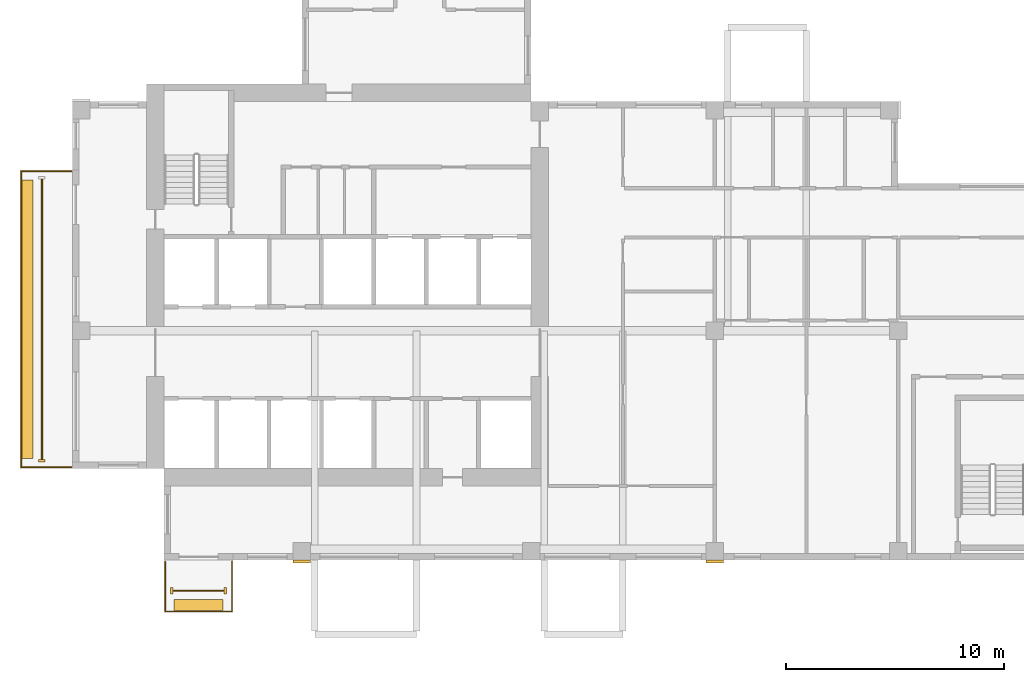
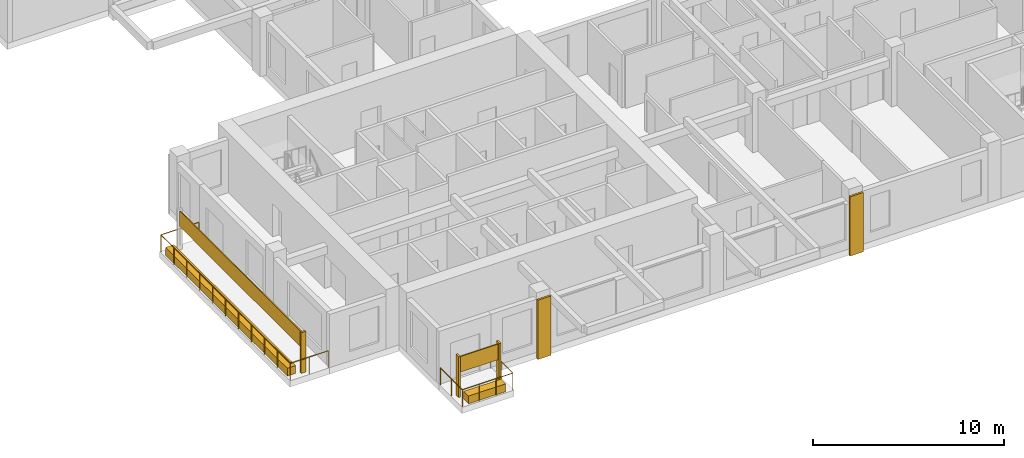
# One storey, part 9 of 12: 9 coverings, 2 railings.
"""IFC4 building model written with IfcOpenShell, lengths in metres."""

from ifc_helpers import new_model, si_unit, direction, frame, origin, origin_2d, place, context, subcontext, project, spatial, rectangle, circle, extrude, source, transform, mapped, material, type_object, element, save


model = new_model("IFC4")

# Units and contexts
model_context = context("Model", 3, precision=1e-05, world=origin(), true_north=direction((0.0, 1.0)))
body_context = subcontext(model_context, "Body", "Model", "MODEL_VIEW")
ifc_project = project(units=[si_unit("LENGTHUNIT", "METRE"), si_unit("AREAUNIT", "SQUARE_METRE"), si_unit("VOLUMEUNIT", "CUBIC_METRE"), si_unit("PLANEANGLEUNIT", "RADIAN"), si_unit("MASSUNIT", "GRAM", prefix="KILO")], contexts=[model_context])

# Site, building, storey
site_placement = place(None, origin())
site = spatial("IfcSite", under=ifc_project, at=site_placement, CompositionType="ELEMENT")
building_placement = place(site_placement, origin())
building = spatial("IfcBuilding", under=site, at=building_placement, Name="Aurelian Terraces", CompositionType="ELEMENT")
storey_placement = place(building_placement, frame((0.0, 0.0, 238.6)))
storey = spatial("IfcBuildingStorey", under=building, at=storey_placement, Name="L54", CompositionType="ELEMENT", Elevation=238.6)

# Coverings
ifc_material_1 = material(Name="Terracotta rainscreen cladding relief", Category="masonry")
covering_type_1 = type_object("IfcCoveringType", Name="FIN-TC", PredefinedType="CLADDING", material=ifc_material_1)
shared_shape_1 = source(origin(), body_context, "Body", "SweptSolid", [
    extrude(rectangle(XDim=0.3, YDim=0.12, at=origin_2d()), origin(), (0.0, 0.0, 1.0), 2.6),
])
covering_1_placement = place(storey_placement, frame((-1.4, 4.55, 0.0), z_axis=(0.0, 0.0, 1.0), x_axis=(1.0, 0.0, 0.0)))
element("IfcCovering", 1, at=covering_1_placement, inside=storey, type_object=covering_type_1, Name="FIN L54 L54-F22-38.2", PredefinedType="CLADDING", context=body_context, shape_type="MappedRepresentation", body=[
    mapped(shared_shape_1, transform((0.0, 0.0, 0.0), scale=1.0)),
])
shared_shape_2 = source(origin(), body_context, "Body", "SweptSolid", [
    extrude(rectangle(XDim=0.12, YDim=0.3, at=origin_2d()), origin(), (0.0, 0.0, 1.0), 2.6),
])
for number, where, z_axis, x_axis, name in (
    (2, (4.55, -1.4, 0.0), (0.0, 0.0, 1.0), (1.0, 0.0, 0.0), "FIN L54 L54-F01-01.1"),
    (3, (7.0, -1.4, 0.0), (0.0, 0.0, 1.0), (1.0, 0.0, 0.0), "FIN L54 L54-F01-01.2"),
):
    element("IfcCovering", number, at=place(storey_placement, frame(where, z_axis=z_axis, x_axis=x_axis)), inside=storey, type_object=covering_type_1, Name=name, PredefinedType="CLADDING", context=body_context, shape_type="MappedRepresentation", body=[
        mapped(shared_shape_2, transform((0.0, 0.0, 0.0), scale=1.0)),
    ])

# Railing
ifc_material_2 = material(Name="Anodised aluminium", Category="aluminium")
railing_type = type_object("IfcRailingType", Name="GUARD-1100", PredefinedType="GUARDRAIL", material=ifc_material_2)
shared_shape_3 = source(origin(), body_context, "Body", "SweptSolid", [
    extrude(circle(Radius=0.024, at=origin_2d()), frame((0.0, 0.0, 1.076), z_axis=(-1.0, 0.0, 0.0), x_axis=(0.0, -1.0, 0.0)), (0.0, 0.0, 1.0), 2.3),
    extrude(circle(Radius=0.024, at=origin_2d()), frame((-2.3, 0.0, 1.076), z_axis=(0.0, -1.0, 0.0), x_axis=(1.0, 0.0, 0.0)), (0.0, 0.0, 1.0), 13.55),
    extrude(circle(Radius=0.024, at=origin_2d()), frame((-2.3, -13.55, 1.076), z_axis=(1.0, 0.0, 0.0), x_axis=(0.0, 1.0, 0.0)), (0.0, 0.0, 1.0), 2.3),
    extrude(circle(Radius=0.021, at=origin_2d()), origin(), (0.0, 0.0, 1.0), 1.052),
    extrude(circle(Radius=0.021, at=origin_2d()), frame((-1.15, 0.0, 0.0)), (0.0, 0.0, 1.0), 1.052),
    extrude(circle(Radius=0.021, at=origin_2d()), frame((-2.3, 0.0, 0.0)), (0.0, 0.0, 1.0), 1.052),
    extrude(circle(Radius=0.021, at=origin_2d()), frame((-2.3, -1.355, 0.0)), (0.0, 0.0, 1.0), 1.052),
    extrude(circle(Radius=0.021, at=origin_2d()), frame((-2.3, -2.71, 0.0)), (0.0, 0.0, 1.0), 1.052),
    extrude(circle(Radius=0.021, at=origin_2d()), frame((-2.3, -4.065, 0.0)), (0.0, 0.0, 1.0), 1.052),
    extrude(circle(Radius=0.021, at=origin_2d()), frame((-2.3, -5.42, 0.0)), (0.0, 0.0, 1.0), 1.052),
    extrude(circle(Radius=0.021, at=origin_2d()), frame((-2.3, -6.775, 0.0)), (0.0, 0.0, 1.0), 1.052),
    extrude(circle(Radius=0.021, at=origin_2d()), frame((-2.3, -8.13, 0.0)), (0.0, 0.0, 1.0), 1.052),
    extrude(circle(Radius=0.021, at=origin_2d()), frame((-2.3, -9.485, 0.0)), (0.0, 0.0, 1.0), 1.052),
    extrude(circle(Radius=0.021, at=origin_2d()), frame((-2.3, -10.84, 0.0)), (0.0, 0.0, 1.0), 1.052),
    extrude(circle(Radius=0.021, at=origin_2d()), frame((-2.3, -12.195, 0.0)), (0.0, 0.0, 1.0), 1.052),
    extrude(circle(Radius=0.021, at=origin_2d()), frame((-2.3, -13.55, 0.0)), (0.0, 0.0, 1.0), 1.052),
    extrude(circle(Radius=0.021, at=origin_2d()), frame((-1.15, -13.55, 0.0)), (0.0, 0.0, 1.0), 1.052),
    extrude(circle(Radius=0.021, at=origin_2d()), frame((0.0, -13.55, 0.0)), (0.0, 0.0, 1.0), 1.052),
])
railing_1_placement = place(storey_placement, frame((-0.05, 17.8, 0.0)))
element("IfcRailing", 4, at=railing_1_placement, inside=storey, type_object=railing_type, Name="Balcony guard L54 F22.38", PredefinedType="GUARDRAIL", context=body_context, shape_type="MappedRepresentation", body=[
    mapped(shared_shape_3, transform((0.0, 0.0, 0.0), scale=1.0)),
])

# Coverings
ifc_material_3 = material(Name="Terracotta planter with planting soil", Category="masonry")
covering_type_2 = type_object("IfcCoveringType", Name="PLANTER-TROUGH", PredefinedType="USERDEFINED", material=ifc_material_3)
shared_shape_4 = source(origin(), body_context, "Body", "SweptSolid", [
    extrude(rectangle(XDim=0.5, YDim=12.75, at=origin_2d()), origin(), (0.0, 0.0, 1.0), 0.5),
])
covering_2_placement = place(storey_placement, frame((-2.05, 11.025, 0.0), z_axis=(0.0, 0.0, 1.0), x_axis=(1.0, 0.0, 0.0)))
element("IfcCovering", 5, at=covering_2_placement, inside=storey, type_object=covering_type_2, Name="PLANTER L54 L54-F22-38", ObjectType="PLANTER", PredefinedType="USERDEFINED", context=body_context, shape_type="MappedRepresentation", body=[
    mapped(shared_shape_4, transform((0.0, 0.0, 0.0), scale=1.0)),
])
ifc_material_4 = material(Name="Terracotta rainscreen cladding", Category="masonry")
covering_type_3 = type_object("IfcCoveringType", Name="SCREEN-TC", PredefinedType="CLADDING", material=ifc_material_4)
shared_shape_5 = source(origin(), body_context, "Body", "SweptSolid", [
    extrude(rectangle(XDim=0.06, YDim=12.83, at=origin_2d()), origin(), (0.0, 0.0, 1.0), 1.0),
])
covering_3_placement = place(storey_placement, frame((-1.4, 11.025, 1.5), z_axis=(0.0, 0.0, 1.0), x_axis=(1.0, 0.0, 0.0)))
element("IfcCovering", 6, at=covering_3_placement, inside=storey, type_object=covering_type_3, Name="SCREEN L54 L54-F22-38", PredefinedType="CLADDING", context=body_context, shape_type="MappedRepresentation", body=[
    mapped(shared_shape_5, transform((0.0, 0.0, 0.0), scale=1.0)),
])

# Railing
shared_shape_6 = source(origin(), body_context, "Body", "SweptSolid", [
    extrude(circle(Radius=0.024, at=origin_2d()), frame((0.0, 0.0, 1.076), z_axis=(0.0, -1.0, 0.0), x_axis=(1.0, 0.0, 0.0)), (0.0, 0.0, 1.0), 2.3),
    extrude(circle(Radius=0.024, at=origin_2d()), frame((0.0, -2.3, 1.076), z_axis=(1.0, 0.0, 0.0), x_axis=(0.0, 1.0, 0.0)), (0.0, 0.0, 1.0), 3.05),
    extrude(circle(Radius=0.024, at=origin_2d()), frame((3.05, -2.3, 1.076), z_axis=(0.0, 1.0, 0.0), x_axis=(-1.0, 0.0, 0.0)), (0.0, 0.0, 1.0), 2.3),
    extrude(circle(Radius=0.021, at=origin_2d()), origin(), (0.0, 0.0, 1.0), 1.052),
    extrude(circle(Radius=0.021, at=origin_2d()), frame((0.0, -1.15, 0.0)), (0.0, 0.0, 1.0), 1.052),
    extrude(circle(Radius=0.021, at=origin_2d()), frame((0.0, -2.3, 0.0)), (0.0, 0.0, 1.0), 1.052),
    extrude(circle(Radius=0.021, at=origin_2d()), frame((1.0167, -2.3, 0.0)), (0.0, 0.0, 1.0), 1.052),
    extrude(circle(Radius=0.021, at=origin_2d()), frame((2.0333, -2.3, 0.0)), (0.0, 0.0, 1.0), 1.052),
    extrude(circle(Radius=0.021, at=origin_2d()), frame((3.05, -2.3, 0.0)), (0.0, 0.0, 1.0), 1.052),
    extrude(circle(Radius=0.021, at=origin_2d()), frame((3.05, -1.15, 0.0)), (0.0, 0.0, 1.0), 1.052),
    extrude(circle(Radius=0.021, at=origin_2d()), frame((3.05, 0.0, 0.0)), (0.0, 0.0, 1.0), 1.052),
])
railing_2_placement = place(storey_placement, frame((4.25, -0.05, 0.0)))
element("IfcRailing", 7, at=railing_2_placement, inside=storey, type_object=railing_type, Name="Balcony guard L54 F01.1", PredefinedType="GUARDRAIL", context=body_context, shape_type="MappedRepresentation", body=[
    mapped(shared_shape_6, transform((0.0, 0.0, 0.0), scale=1.0)),
])

# Coverings
shared_shape_7 = source(origin(), body_context, "Body", "SweptSolid", [
    extrude(rectangle(XDim=2.25, YDim=0.5, at=origin_2d()), origin(), (0.0, 0.0, 1.0), 0.5),
])
covering_4_placement = place(storey_placement, frame((5.775, -2.05, 0.0), z_axis=(0.0, 0.0, 1.0), x_axis=(1.0, 0.0, 0.0)))
element("IfcCovering", 8, at=covering_4_placement, inside=storey, type_object=covering_type_2, Name="PLANTER L54 L54-F01-01", ObjectType="PLANTER", PredefinedType="USERDEFINED", context=body_context, shape_type="MappedRepresentation", body=[
    mapped(shared_shape_7, transform((0.0, 0.0, 0.0), scale=1.0)),
])
shared_shape_8 = source(origin(), body_context, "Body", "SweptSolid", [
    extrude(rectangle(XDim=2.33, YDim=0.06, at=origin_2d()), origin(), (0.0, 0.0, 1.0), 1.0),
])
covering_5_placement = place(storey_placement, frame((5.775, -1.4, 1.5), z_axis=(0.0, 0.0, 1.0), x_axis=(1.0, 0.0, 0.0)))
element("IfcCovering", 9, at=covering_5_placement, inside=storey, type_object=covering_type_3, Name="SCREEN L54 L54-F01-01", PredefinedType="CLADDING", context=body_context, shape_type="MappedRepresentation", body=[
    mapped(shared_shape_8, transform((0.0, 0.0, 0.0), scale=1.0)),
])
covering_type_4 = type_object("IfcCoveringType", Name="BAGUETTE-TC", PredefinedType="CLADDING", material=ifc_material_1)
shared_shape_9 = source(origin(), body_context, "Body", "SweptSolid", [
    extrude(rectangle(XDim=0.8, YDim=0.12, at=origin_2d()), origin(), (0.0, 0.0, 1.0), 3.8),
])
for number, where, z_axis, x_axis, name in (
    (10, (10.5, -0.06, -0.4), (0.0, 0.0, 1.0), (1.0, 0.0, 0.0), "BAGUETTE pier L54 1"),
    (11, (29.4, -0.06, -0.4), (0.0, 0.0, 1.0), (1.0, 0.0, 0.0), "BAGUETTE pier L54 2"),
):
    element("IfcCovering", number, at=place(storey_placement, frame(where, z_axis=z_axis, x_axis=x_axis)), inside=storey, type_object=covering_type_4, Name=name, PredefinedType="CLADDING", context=body_context, shape_type="MappedRepresentation", body=[
        mapped(shared_shape_9, transform((0.0, 0.0, 0.0), scale=1.0)),
    ])

save(model, "model.ifc")
